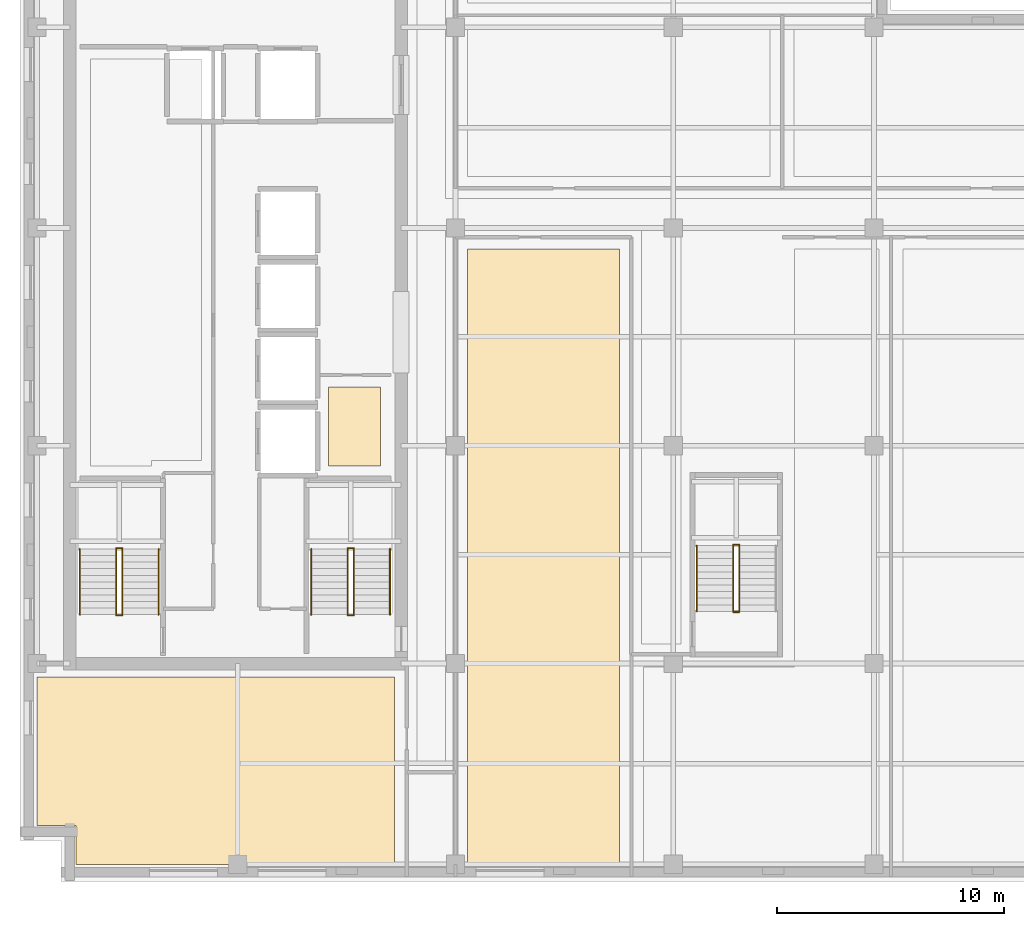
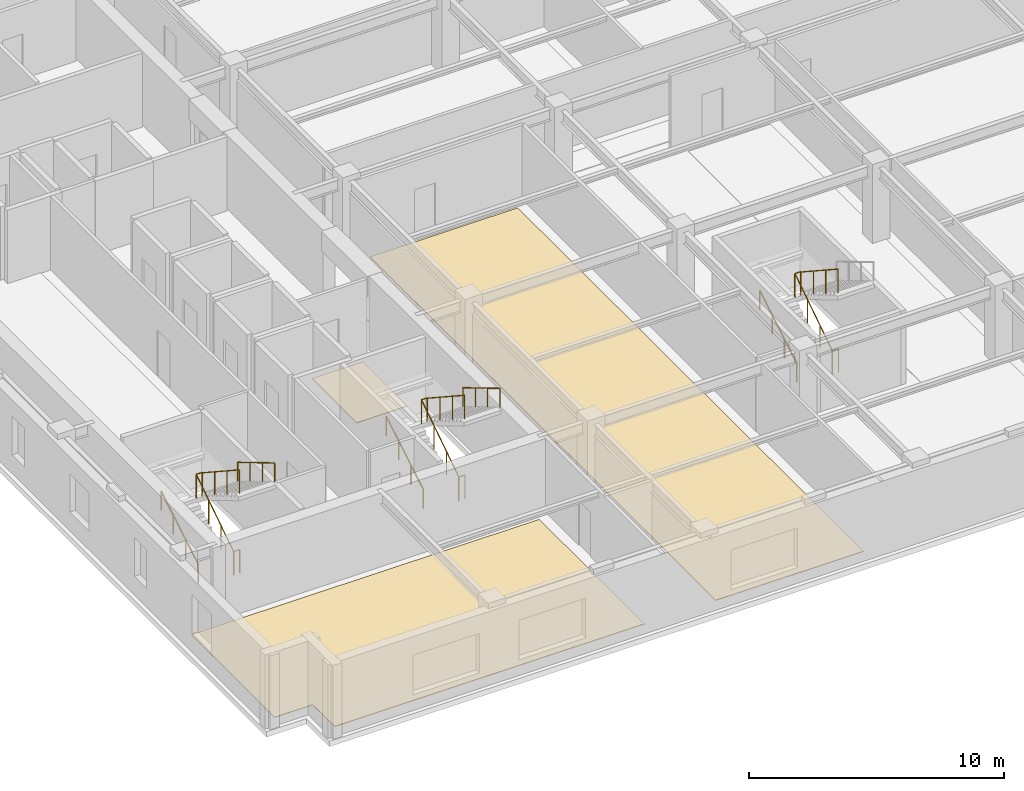
# One storey, part 7 of 11: 17 railings, 3 coverings.
"""IFC4 building model written with IfcOpenShell, lengths in metres."""

from ifc_helpers import new_model, si_unit, direction, frame, origin, origin_2d, place, context, subcontext, project, spatial, polyline, circle, outline, extrude, material, layer, layer_set, type_object, element, save


model = new_model("IFC4")

# Units and contexts
model_context = context("Model", 3, precision=1e-05, world=origin(), true_north=direction((0.0, 1.0)))
body_context = subcontext(model_context, "Body", "Model", "MODEL_VIEW")
ifc_project = project(units=[si_unit("LENGTHUNIT", "METRE"), si_unit("AREAUNIT", "SQUARE_METRE"), si_unit("VOLUMEUNIT", "CUBIC_METRE"), si_unit("PLANEANGLEUNIT", "RADIAN"), si_unit("MASSUNIT", "GRAM", prefix="KILO")], contexts=[model_context])

# Site, building, storey
site_placement = place(None, origin())
site = spatial("IfcSite", under=ifc_project, at=site_placement, CompositionType="ELEMENT")
building_placement = place(site_placement, origin())
building = spatial("IfcBuilding", under=site, at=building_placement, Name="Norrvale University Quadrangle", CompositionType="ELEMENT")
storey_placement = place(building_placement, frame((0.0, 0.0, 248.39990234375)))
storey = spatial("IfcBuildingStorey", under=building, at=storey_placement, Name="L63", CompositionType="ELEMENT", Elevation=248.39990234375)

# Coverings
ifc_material_1 = material(Name="Polished Terrazzo Flooring")
ifc_layer = layer(ifc_material_1, 0.02490234375, Name="Polished Terrazzo Flooring")
ifc_layer_set = layer_set([ifc_layer], Name="Polished Terrazzo Flooring")
covering_type = type_object("IfcCoveringType", Name="Covering Terrazzo Floor 30", PredefinedType="FLOORING", material=ifc_layer_set)
covering_1_placement = place(storey_placement, origin())
element("IfcCovering", 1, at=covering_1_placement, inside=storey, type_object=covering_type, Name="Terrazzo Flooring RM-L63-JAN", PredefinedType="FLOORING", context=body_context, shape_type="SweptSolid", body=[
    extrude(outline(polyline([(13.60009765625, 18.300048828125), (13.60009765625, 21.800048828125), (15.89990234375, 21.800048828125), (15.89990234375, 18.300048828125), (13.60009765625, 18.300048828125)])), origin(), (0.0, 0.0, 1.0), 0.025146484375),
])
covering_2_placement = place(storey_placement, origin())
element("IfcCovering", 2, at=covering_2_placement, inside=storey, type_object=covering_type, Name="Terrazzo Flooring RM-L63-SW1", PredefinedType="FLOORING", context=body_context, shape_type="SweptSolid", body=[
    extrude(outline(polyline([(0.75, 9.0), (16.5, 9.0), (16.5, 0.75), (2.469970703125, 0.75), (2.469970703125, 2.469970703125), (0.75, 2.469970703125), (0.75, 9.0)])), origin(), (0.0, 0.0, 1.0), 0.025146484375),
])
covering_3_placement = place(storey_placement, origin())
element("IfcCovering", 3, at=covering_3_placement, inside=storey, type_object=covering_type, Name="Terrazzo Flooring RM-L63-SE1", PredefinedType="FLOORING", context=body_context, shape_type="SweptSolid", body=[
    extrude(outline(polyline([(19.72998046875, 27.8701171875), (26.419921875, 27.8701171875), (26.419921875, 0.75), (19.72998046875, 0.75), (19.72998046875, 27.8701171875)])), origin(), (0.0, 0.0, 1.0), 0.025146484375),
])

# Railings
ifc_material_2 = material(Name="Steel 350W Painted Balustrade", Category="steel")
railing_type_1 = type_object("IfcRailingType", Name="Railing Stair Guard 1100", PredefinedType="GUARDRAIL", material=ifc_material_2)
for number, where, name in (
    (4, (4.239990234375, 11.719970703125, 0.0), "Stair Floor Well Guard ST-01 L63"),
    (5, (4.239990234375, 14.679931640625, 1.900146484375), "Stair Mid-Landing Slot Guard ST-01 L63"),
):
    element("IfcRailing", number, at=place(storey_placement, frame(where)), inside=storey, type_object=railing_type_1, Name=name, PredefinedType="GUARDRAIL", context=body_context, shape_type="SweptSolid", body=[
        extrude(circle(Radius=0.02392578125, at=origin_2d()), frame((0.0, 0.0, 1.1259765625), z_axis=(1.0, 0.0, 0.0), x_axis=(0.0, 1.0, 0.0)), (0.0, 0.0, 1.0), 0.27001953125),
        extrude(circle(Radius=0.02099609375, at=origin_2d()), origin(), (0.0, 0.0, 1.0), 1.101806640625),
        extrude(circle(Radius=0.02099609375, at=origin_2d()), frame((0.27001953125, 0.0, 0.0)), (0.0, 0.0, 1.0), 1.101806640625),
    ])
railing_1_placement = place(storey_placement, frame((4.239990234375, 11.75, 0.0)))
element("IfcRailing", 6, at=railing_1_placement, inside=storey, type_object=railing_type_1, Name="Stair Lower Flight Inner Guard ST-01 L63", PredefinedType="GUARDRAIL", context=body_context, shape_type="SweptSolid", body=[
    extrude(circle(Radius=0.02392578125, at=origin_2d()), frame((0.0, 0.0, 1.1259765625), z_axis=(0.0, 0.836433300813, 0.548068730445), x_axis=(-1.0, 0.0, 0.0)), (0.0, 0.0, 1.0), 3.467041015625),
    extrude(circle(Radius=0.02099609375, at=origin_2d()), origin(), (0.0, 0.0, 1.0), 1.101806640625),
    extrude(circle(Radius=0.02099609375, at=origin_2d()), frame((0.0, 0.966552734375, 0.63330078125)), (0.0, 0.0, 1.0), 1.101806640625),
    extrude(circle(Radius=0.02099609375, at=origin_2d()), frame((0.0, 1.933349609375, 1.266845703125)), (0.0, 0.0, 1.0), 1.101806640625),
    extrude(circle(Radius=0.02099609375, at=origin_2d()), frame((0.0, 2.89990234375, 1.900146484375)), (0.0, 0.0, 1.0), 1.101806640625),
])
railing_2_placement = place(storey_placement, frame((4.510009765625, 14.64990234375, 1.900146484375)))
element("IfcRailing", 7, at=railing_2_placement, inside=storey, type_object=railing_type_1, Name="Stair Upper Flight Inner Guard ST-01 L63", PredefinedType="GUARDRAIL", context=body_context, shape_type="SweptSolid", body=[
    extrude(circle(Radius=0.02392578125, at=origin_2d()), frame((0.0, 0.0, 1.1259765625), z_axis=(0.0, -0.836465582154, 0.548019461216), x_axis=(1.0, 0.0, 0.0)), (0.0, 0.0, 1.0), 3.466796875),
    extrude(circle(Radius=0.02099609375, at=origin_2d()), origin(), (0.0, 0.0, 1.0), 1.101806640625),
    extrude(circle(Radius=0.02099609375, at=origin_2d()), frame((0.0, -0.966552734375, 0.63330078125)), (0.0, 0.0, 1.0), 1.101806640625),
    extrude(circle(Radius=0.02099609375, at=origin_2d()), frame((0.0, -1.933349609375, 1.2666015625)), (0.0, 0.0, 1.0), 1.101806640625),
    extrude(circle(Radius=0.02099609375, at=origin_2d()), frame((0.0, -2.89990234375, 1.89990234375)), (0.0, 0.0, 1.0), 1.101806640625),
])
for number, where, name in (
    (8, (14.43994140625, 11.719970703125, 0.0), "Stair Floor Well Guard ST-03 L63"),
    (9, (14.43994140625, 14.679931640625, 1.900146484375), "Stair Mid-Landing Slot Guard ST-03 L63"),
):
    element("IfcRailing", number, at=place(storey_placement, frame(where)), inside=storey, type_object=railing_type_1, Name=name, PredefinedType="GUARDRAIL", context=body_context, shape_type="SweptSolid", body=[
        extrude(circle(Radius=0.02392578125, at=origin_2d()), frame((0.0, 0.0, 1.1259765625), z_axis=(1.0, 0.0, 0.0), x_axis=(0.0, 1.0, 0.0)), (0.0, 0.0, 1.0), 0.27001953125),
        extrude(circle(Radius=0.02099609375, at=origin_2d()), origin(), (0.0, 0.0, 1.0), 1.101806640625),
        extrude(circle(Radius=0.02099609375, at=origin_2d()), frame((0.27001953125, 0.0, 0.0)), (0.0, 0.0, 1.0), 1.101806640625),
    ])
railing_3_placement = place(storey_placement, frame((14.43994140625, 11.75, 0.0)))
element("IfcRailing", 10, at=railing_3_placement, inside=storey, type_object=railing_type_1, Name="Stair Lower Flight Inner Guard ST-03 L63", PredefinedType="GUARDRAIL", context=body_context, shape_type="SweptSolid", body=[
    extrude(circle(Radius=0.02392578125, at=origin_2d()), frame((0.0, 0.0, 1.1259765625), z_axis=(0.0, 0.836433300813, 0.548068730445), x_axis=(-1.0, 0.0, 0.0)), (0.0, 0.0, 1.0), 3.467041015625),
    extrude(circle(Radius=0.02099609375, at=origin_2d()), origin(), (0.0, 0.0, 1.0), 1.101806640625),
    extrude(circle(Radius=0.02099609375, at=origin_2d()), frame((0.0, 0.966552734375, 0.63330078125)), (0.0, 0.0, 1.0), 1.101806640625),
    extrude(circle(Radius=0.02099609375, at=origin_2d()), frame((0.0, 1.933349609375, 1.266845703125)), (0.0, 0.0, 1.0), 1.101806640625),
    extrude(circle(Radius=0.02099609375, at=origin_2d()), frame((0.0, 2.89990234375, 1.900146484375)), (0.0, 0.0, 1.0), 1.101806640625),
])
railing_4_placement = place(storey_placement, frame((14.7099609375, 14.64990234375, 1.900146484375)))
element("IfcRailing", 11, at=railing_4_placement, inside=storey, type_object=railing_type_1, Name="Stair Upper Flight Inner Guard ST-03 L63", PredefinedType="GUARDRAIL", context=body_context, shape_type="SweptSolid", body=[
    extrude(circle(Radius=0.02392578125, at=origin_2d()), frame((0.0, 0.0, 1.1259765625), z_axis=(0.0, -0.836465582154, 0.548019461216), x_axis=(1.0, 0.0, 0.0)), (0.0, 0.0, 1.0), 3.466796875),
    extrude(circle(Radius=0.02099609375, at=origin_2d()), origin(), (0.0, 0.0, 1.0), 1.101806640625),
    extrude(circle(Radius=0.02099609375, at=origin_2d()), frame((0.0, -0.966552734375, 0.63330078125)), (0.0, 0.0, 1.0), 1.101806640625),
    extrude(circle(Radius=0.02099609375, at=origin_2d()), frame((0.0, -1.933349609375, 1.2666015625)), (0.0, 0.0, 1.0), 1.101806640625),
    extrude(circle(Radius=0.02099609375, at=origin_2d()), frame((0.0, -2.89990234375, 1.89990234375)), (0.0, 0.0, 1.0), 1.101806640625),
])
for number, where, name in (
    (12, (31.43994140625, 11.8701171875, 0.0), "Stair Floor Well Guard ST-04 L63"),
    (13, (31.43994140625, 14.830078125, 1.900146484375), "Stair Mid-Landing Slot Guard ST-04 L63"),
):
    element("IfcRailing", number, at=place(storey_placement, frame(where)), inside=storey, type_object=railing_type_1, Name=name, PredefinedType="GUARDRAIL", context=body_context, shape_type="SweptSolid", body=[
        extrude(circle(Radius=0.02392578125, at=origin_2d()), frame((0.0, 0.0, 1.1259765625), z_axis=(1.0, 0.0, 0.0), x_axis=(0.0, 1.0, 0.0)), (0.0, 0.0, 1.0), 0.27001953125),
        extrude(circle(Radius=0.02099609375, at=origin_2d()), origin(), (0.0, 0.0, 1.0), 1.101806640625),
        extrude(circle(Radius=0.02099609375, at=origin_2d()), frame((0.27001953125, 0.0, 0.0)), (0.0, 0.0, 1.0), 1.101806640625),
    ])
railing_5_placement = place(storey_placement, frame((31.43994140625, 11.89990234375, 0.0)))
element("IfcRailing", 14, at=railing_5_placement, inside=storey, type_object=railing_type_1, Name="Stair Lower Flight Inner Guard ST-04 L63", PredefinedType="GUARDRAIL", context=body_context, shape_type="SweptSolid", body=[
    extrude(circle(Radius=0.02392578125, at=origin_2d()), frame((0.0, 0.0, 1.1259765625), z_axis=(0.0, 0.836454451266, 0.548036450392), x_axis=(-1.0, 0.0, 0.0)), (0.0, 0.0, 1.0), 3.46728515625),
    extrude(circle(Radius=0.02099609375, at=origin_2d()), origin(), (0.0, 0.0, 1.0), 1.101806640625),
    extrude(circle(Radius=0.02099609375, at=origin_2d()), frame((0.0, 0.966796875, 0.63330078125)), (0.0, 0.0, 1.0), 1.101806640625),
    extrude(circle(Radius=0.02099609375, at=origin_2d()), frame((0.0, 1.933349609375, 1.266845703125)), (0.0, 0.0, 1.0), 1.101806640625),
    extrude(circle(Radius=0.02099609375, at=origin_2d()), frame((0.0, 2.900146484375, 1.900146484375)), (0.0, 0.0, 1.0), 1.101806640625),
])
railing_6_placement = place(storey_placement, frame((31.7099609375, 14.800048828125, 1.900146484375)))
element("IfcRailing", 15, at=railing_6_placement, inside=storey, type_object=railing_type_1, Name="Stair Upper Flight Inner Guard ST-04 L63", PredefinedType="GUARDRAIL", context=body_context, shape_type="SweptSolid", body=[
    extrude(circle(Radius=0.02392578125, at=origin_2d()), frame((0.0, 0.0, 1.1259765625), z_axis=(0.0, -0.836486729621, 0.547987181573), x_axis=(1.0, 0.0, 0.0)), (0.0, 0.0, 1.0), 3.467041015625),
    extrude(circle(Radius=0.02099609375, at=origin_2d()), origin(), (0.0, 0.0, 1.0), 1.101806640625),
    extrude(circle(Radius=0.02099609375, at=origin_2d()), frame((0.0, -0.966796875, 0.63330078125)), (0.0, 0.0, 1.0), 1.101806640625),
    extrude(circle(Radius=0.02099609375, at=origin_2d()), frame((0.0, -1.933349609375, 1.2666015625)), (0.0, 0.0, 1.0), 1.101806640625),
    extrude(circle(Radius=0.02099609375, at=origin_2d()), frame((0.0, -2.900146484375, 1.89990234375)), (0.0, 0.0, 1.0), 1.101806640625),
])
ifc_material_3 = material(Name="Stainless Steel 316L Handrail", Category="steel")
railing_type_2 = type_object("IfcRailingType", Name="Railing Stair Handrail 920", PredefinedType="HANDRAIL", material=ifc_material_3)
railing_7_placement = place(storey_placement, frame((2.639892578125, 11.75, 0.1728515625)))
element("IfcRailing", 16, at=railing_7_placement, inside=storey, type_object=railing_type_2, Name="Stair Lower Flight Handrail ST-01 L63", PredefinedType="HANDRAIL", context=body_context, shape_type="SweptSolid", body=[
    extrude(circle(Radius=0.02392578125, at=origin_2d()), frame((0.0, 0.0, 0.89599609375), z_axis=(0.0, 0.859141464434, 0.511738159696), x_axis=(-1.0, 0.0, 0.0)), (0.0, 0.0, 1.0), 3.375244140625),
    extrude(circle(Radius=0.02099609375, at=origin_2d()), origin(), (0.0, 0.0, 1.0), 0.871826171875),
    extrude(circle(Radius=0.02099609375, at=origin_2d()), frame((0.0, 0.966552734375, 0.57568359375)), (0.0, 0.0, 1.0), 0.871826171875),
    extrude(circle(Radius=0.02099609375, at=origin_2d()), frame((0.0, 1.933349609375, 1.151611328125)), (0.0, 0.0, 1.0), 0.871826171875),
    extrude(circle(Radius=0.02099609375, at=origin_2d()), frame((0.0, 2.89990234375, 1.727294921875)), (0.0, 0.0, 1.0), 0.871826171875),
])
railing_8_placement = place(storey_placement, frame((6.110107421875, 14.64990234375, 2.07275390625)))
element("IfcRailing", 17, at=railing_8_placement, inside=storey, type_object=railing_type_2, Name="Stair Upper Flight Handrail ST-01 L63", PredefinedType="HANDRAIL", context=body_context, shape_type="SweptSolid", body=[
    extrude(circle(Radius=0.02392578125, at=origin_2d()), frame((0.0, 0.0, 0.89599609375), z_axis=(0.0, -0.859141464434, 0.511738159696), x_axis=(1.0, 0.0, 0.0)), (0.0, 0.0, 1.0), 3.375244140625),
    extrude(circle(Radius=0.02099609375, at=origin_2d()), origin(), (0.0, 0.0, 1.0), 0.871826171875),
    extrude(circle(Radius=0.02099609375, at=origin_2d()), frame((0.0, -0.966552734375, 0.57568359375)), (0.0, 0.0, 1.0), 0.871826171875),
    extrude(circle(Radius=0.02099609375, at=origin_2d()), frame((0.0, -1.933349609375, 1.151611328125)), (0.0, 0.0, 1.0), 0.871826171875),
    extrude(circle(Radius=0.02099609375, at=origin_2d()), frame((0.0, -2.89990234375, 1.727294921875)), (0.0, 0.0, 1.0), 0.871826171875),
])
railing_9_placement = place(storey_placement, frame((12.840087890625, 11.75, 0.1728515625)))
element("IfcRailing", 18, at=railing_9_placement, inside=storey, type_object=railing_type_2, Name="Stair Lower Flight Handrail ST-03 L63", PredefinedType="HANDRAIL", context=body_context, shape_type="SweptSolid", body=[
    extrude(circle(Radius=0.02392578125, at=origin_2d()), frame((0.0, 0.0, 0.89599609375), z_axis=(0.0, 0.859141464434, 0.511738159696), x_axis=(-1.0, 0.0, 0.0)), (0.0, 0.0, 1.0), 3.375244140625),
    extrude(circle(Radius=0.02099609375, at=origin_2d()), origin(), (0.0, 0.0, 1.0), 0.871826171875),
    extrude(circle(Radius=0.02099609375, at=origin_2d()), frame((0.0, 0.966552734375, 0.57568359375)), (0.0, 0.0, 1.0), 0.871826171875),
    extrude(circle(Radius=0.02099609375, at=origin_2d()), frame((0.0, 1.933349609375, 1.151611328125)), (0.0, 0.0, 1.0), 0.871826171875),
    extrude(circle(Radius=0.02099609375, at=origin_2d()), frame((0.0, 2.89990234375, 1.727294921875)), (0.0, 0.0, 1.0), 0.871826171875),
])
railing_10_placement = place(storey_placement, frame((16.31005859375, 14.64990234375, 2.07275390625)))
element("IfcRailing", 19, at=railing_10_placement, inside=storey, type_object=railing_type_2, Name="Stair Upper Flight Handrail ST-03 L63", PredefinedType="HANDRAIL", context=body_context, shape_type="SweptSolid", body=[
    extrude(circle(Radius=0.02392578125, at=origin_2d()), frame((0.0, 0.0, 0.89599609375), z_axis=(0.0, -0.859141464434, 0.511738159696), x_axis=(1.0, 0.0, 0.0)), (0.0, 0.0, 1.0), 3.375244140625),
    extrude(circle(Radius=0.02099609375, at=origin_2d()), origin(), (0.0, 0.0, 1.0), 0.871826171875),
    extrude(circle(Radius=0.02099609375, at=origin_2d()), frame((0.0, -0.966552734375, 0.57568359375)), (0.0, 0.0, 1.0), 0.871826171875),
    extrude(circle(Radius=0.02099609375, at=origin_2d()), frame((0.0, -1.933349609375, 1.151611328125)), (0.0, 0.0, 1.0), 0.871826171875),
    extrude(circle(Radius=0.02099609375, at=origin_2d()), frame((0.0, -2.89990234375, 1.727294921875)), (0.0, 0.0, 1.0), 0.871826171875),
])
railing_11_placement = place(storey_placement, frame((29.840087890625, 11.89990234375, 0.1728515625)))
element("IfcRailing", 20, at=railing_11_placement, inside=storey, type_object=railing_type_2, Name="Stair Lower Flight Handrail ST-04 L63", PredefinedType="HANDRAIL", context=body_context, shape_type="SweptSolid", body=[
    extrude(circle(Radius=0.02392578125, at=origin_2d()), frame((0.0, 0.0, 0.89599609375), z_axis=(0.0, 0.859160404282, 0.51170636083), x_axis=(-1.0, 0.0, 0.0)), (0.0, 0.0, 1.0), 3.37548828125),
    extrude(circle(Radius=0.02099609375, at=origin_2d()), origin(), (0.0, 0.0, 1.0), 0.871826171875),
    extrude(circle(Radius=0.02099609375, at=origin_2d()), frame((0.0, 0.966796875, 0.57568359375)), (0.0, 0.0, 1.0), 0.871826171875),
    extrude(circle(Radius=0.02099609375, at=origin_2d()), frame((0.0, 1.933349609375, 1.151611328125)), (0.0, 0.0, 1.0), 0.871826171875),
    extrude(circle(Radius=0.02099609375, at=origin_2d()), frame((0.0, 2.900146484375, 1.727294921875)), (0.0, 0.0, 1.0), 0.871826171875),
])

save(model, "model.ifc")
